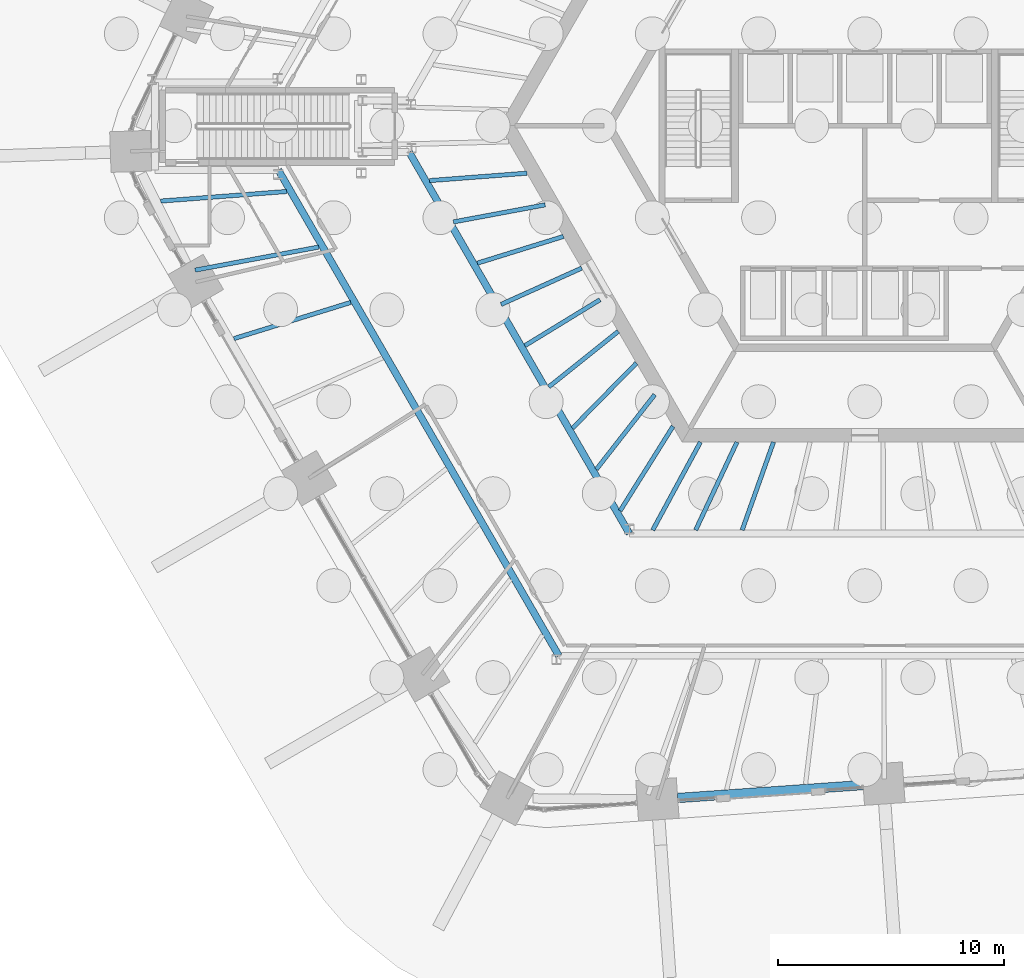
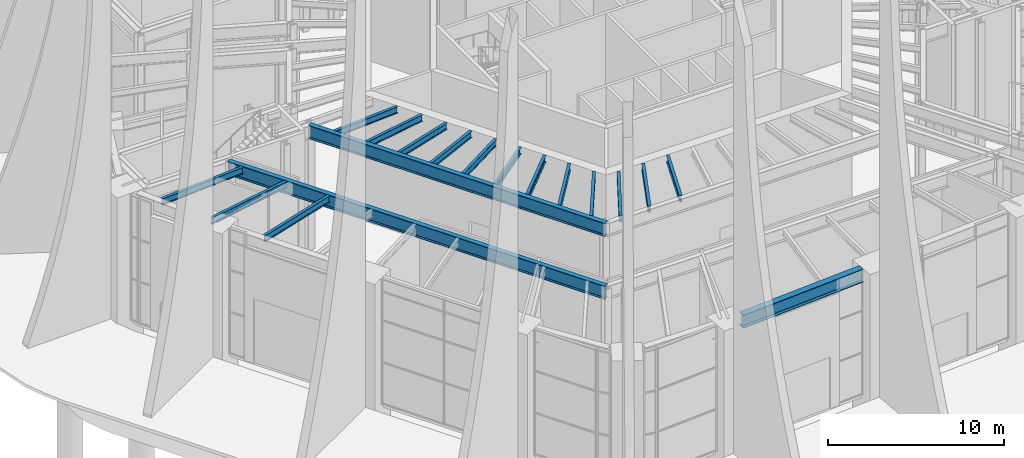
# One storey, part 5 of 43: 18 beams.
"""IFC4 building model written with IfcOpenShell, lengths in metres."""

from ifc_helpers import new_model, si_unit, direction, frame, origin, origin_2d, place, context, subcontext, project, spatial, i_section, extrude, material, material_profile, profile_set, type_object, element, save


model = new_model("IFC4")

# Units and contexts
model_context = context("Model", 3, precision=1e-05, world=origin(), true_north=direction((0.0, 1.0)))
body_context = subcontext(model_context, "Body", "Model", "MODEL_VIEW")
ifc_project = project(units=[si_unit("LENGTHUNIT", "METRE"), si_unit("AREAUNIT", "SQUARE_METRE"), si_unit("VOLUMEUNIT", "CUBIC_METRE"), si_unit("PLANEANGLEUNIT", "RADIAN"), si_unit("MASSUNIT", "GRAM", prefix="KILO")], contexts=[model_context])

# Site, building, storey
site_placement = place(None, origin())
site = spatial("IfcSite", under=ifc_project, at=site_placement, CompositionType="ELEMENT")
building_placement = place(site_placement, origin())
building = spatial("IfcBuilding", under=site, at=building_placement, Name="Tarnside Tower", CompositionType="ELEMENT")
storey_placement = place(building_placement, origin())
storey = spatial("IfcBuildingStorey", under=building, at=storey_placement, Name="L00", CompositionType="ELEMENT", Elevation=0.0)

# Beams
ifc_material_1 = material(Name="Steel S355", Category="steel")
ifc_material_profile_1 = material_profile(ifc_material_1, i_section(OverallWidth=0.18994140625, OverallDepth=0.453369140625, WebThickness=0.008544921875, FlangeThickness=0.0126953125, FilletRadius=0.01025390625, at=origin_2d()), Name="UB 457x191x67")
ifc_profile_set_1 = profile_set([ifc_material_profile_1], Name="Steel S355")
beam_type_1 = type_object("IfcBeamType", Name="Floor beam UB 457x191x67", PredefinedType="BEAM", material=ifc_profile_set_1)
beam_1_placement = place(storey_placement, frame((-31.15625, -3.33447265625, 8.523193359375), z_axis=(0.997110963319, 0.075958717927, 0.0), x_axis=(-0.075958717927, 0.997110963319, 0.0)))
element("IfcBeam", 1, at=beam_1_placement, inside=storey, type_object=beam_type_1, Name="Floor beam F3.01a", PredefinedType="BEAM", context=body_context, shape_type="SweptSolid", body=[
    extrude(i_section(OverallWidth=0.18994140625, OverallDepth=0.453369140625, WebThickness=0.008544921875, FlangeThickness=0.0126953125, FilletRadius=0.01025390625, at=origin_2d()), origin(), (0.0, 0.0, 1.0), 5.592529296875),
])
beam_2_placement = place(storey_placement, frame((-19.25830078125, -2.427978515625, 8.523193359375), z_axis=(0.997112080207, 0.075944055108, 0.0), x_axis=(-0.075944055108, 0.997112080207, 0.0)))
element("IfcBeam", 2, at=beam_2_placement, inside=storey, type_object=beam_type_1, Name="Floor beam F3.01b", PredefinedType="BEAM", context=body_context, shape_type="SweptSolid", body=[
    extrude(i_section(OverallWidth=0.18994140625, OverallDepth=0.453369140625, WebThickness=0.008544921875, FlangeThickness=0.0126953125, FilletRadius=0.01025390625, at=origin_2d()), origin(), (0.0, 0.0, 1.0), 4.3173828125),
])
beam_3_placement = place(storey_placement, frame((-29.635498046875, -6.389892578125, 8.523193359375), z_axis=(0.983037534305, 0.183404487806, 0.0), x_axis=(-0.183404487806, 0.983037534305, 0.0)))
element("IfcBeam", 3, at=beam_3_placement, inside=storey, type_object=beam_type_1, Name="Floor beam F3.02a", PredefinedType="BEAM", context=body_context, shape_type="SweptSolid", body=[
    extrude(i_section(OverallWidth=0.18994140625, OverallDepth=0.453369140625, WebThickness=0.008544921875, FlangeThickness=0.0126953125, FilletRadius=0.01025390625, at=origin_2d()), origin(), (0.0, 0.0, 1.0), 5.569580078125),
])
beam_4_placement = place(storey_placement, frame((-18.202392578125, -4.257080078125, 8.523193359375), z_axis=(0.983033192305, 0.183427759151, 0.0), x_axis=(-0.183427759151, 0.983033192305, 0.0)))
element("IfcBeam", 4, at=beam_4_placement, inside=storey, type_object=beam_type_1, Name="Floor beam F3.02b", PredefinedType="BEAM", context=body_context, shape_type="SweptSolid", body=[
    extrude(i_section(OverallWidth=0.18994140625, OverallDepth=0.453369140625, WebThickness=0.008544921875, FlangeThickness=0.0126953125, FilletRadius=0.01025390625, at=origin_2d()), origin(), (0.0, 0.0, 1.0), 4.12744140625),
])
beam_5_placement = place(storey_placement, frame((-27.919189453125, -9.422119140625, 8.523193359375), z_axis=(0.955139348669, 0.296156756843, 0.0), x_axis=(-0.296156756843, 0.955139348669, 0.0)))
element("IfcBeam", 5, at=beam_5_placement, inside=storey, type_object=beam_type_1, Name="Floor beam F3.03a", PredefinedType="BEAM", context=body_context, shape_type="SweptSolid", body=[
    extrude(i_section(OverallWidth=0.18994140625, OverallDepth=0.453369140625, WebThickness=0.008544921875, FlangeThickness=0.0126953125, FilletRadius=0.01025390625, at=origin_2d()), origin(), (0.0, 0.0, 1.0), 5.416015625),
])
beam_6_placement = place(storey_placement, frame((-17.148681640625, -6.082275390625, 8.523193359375), z_axis=(0.955105927172, 0.296264523493, 0.0), x_axis=(-0.296264523493, 0.955105927172, 0.0)))
element("IfcBeam", 6, at=beam_6_placement, inside=storey, type_object=beam_type_1, Name="Floor beam F3.03b", PredefinedType="BEAM", context=body_context, shape_type="SweptSolid", body=[
    extrude(i_section(OverallWidth=0.18994140625, OverallDepth=0.453369140625, WebThickness=0.008544921875, FlangeThickness=0.0126953125, FilletRadius=0.01025390625, at=origin_2d()), origin(), (0.0, 0.0, 1.0), 3.990966796875),
])
beam_7_placement = place(storey_placement, frame((-16.094970703125, -7.9072265625, 8.523193359375), z_axis=(0.911701832806, 0.410852489414, 0.0), x_axis=(-0.410852489414, 0.911701832806, 0.0)))
element("IfcBeam", 7, at=beam_7_placement, inside=storey, type_object=beam_type_1, Name="Floor beam F3.04b", PredefinedType="BEAM", context=body_context, shape_type="SweptSolid", body=[
    extrude(i_section(OverallWidth=0.18994140625, OverallDepth=0.453369140625, WebThickness=0.008544921875, FlangeThickness=0.0126953125, FilletRadius=0.01025390625, at=origin_2d()), origin(), (0.0, 0.0, 1.0), 3.911865234375),
])
beam_8_placement = place(storey_placement, frame((-15.041259765625, -9.732421875, 8.523193359375), z_axis=(0.85294531586, 0.522000276008, 0.0), x_axis=(-0.522000276008, 0.85294531586, 0.0)))
element("IfcBeam", 8, at=beam_8_placement, inside=storey, type_object=beam_type_1, Name="Floor beam F3.05b", PredefinedType="BEAM", context=body_context, shape_type="SweptSolid", body=[
    extrude(i_section(OverallWidth=0.18994140625, OverallDepth=0.453369140625, WebThickness=0.008544921875, FlangeThickness=0.0126953125, FilletRadius=0.01025390625, at=origin_2d()), origin(), (0.0, 0.0, 1.0), 3.8935546875),
])
beam_9_placement = place(storey_placement, frame((-13.9873046875, -11.5576171875, 8.523193359375), z_axis=(0.781219607864, 0.624256296956, 0.0), x_axis=(-0.624256296956, 0.781219607864, 0.0)))
element("IfcBeam", 9, at=beam_9_placement, inside=storey, type_object=beam_type_1, Name="Floor beam F3.06b", PredefinedType="BEAM", context=body_context, shape_type="SweptSolid", body=[
    extrude(i_section(OverallWidth=0.18994140625, OverallDepth=0.453369140625, WebThickness=0.008544921875, FlangeThickness=0.0126953125, FilletRadius=0.01025390625, at=origin_2d()), origin(), (0.0, 0.0, 1.0), 3.936767578125),
])
beam_10_placement = place(storey_placement, frame((-12.93359375, -13.3828125, 8.523193359375), z_axis=(0.700549796395, 0.713603519309, 0.0), x_axis=(-0.713603519309, 0.700549796395, 0.0)))
element("IfcBeam", 10, at=beam_10_placement, inside=storey, type_object=beam_type_1, Name="Floor beam F3.07b", PredefinedType="BEAM", context=body_context, shape_type="SweptSolid", body=[
    extrude(i_section(OverallWidth=0.18994140625, OverallDepth=0.453369140625, WebThickness=0.008544921875, FlangeThickness=0.0126953125, FilletRadius=0.01025390625, at=origin_2d()), origin(), (0.0, 0.0, 1.0), 4.039794921875),
])
beam_11_placement = place(storey_placement, frame((-11.8798828125, -15.2080078125, 8.523193359375), z_axis=(0.615646299111, 0.78802261033, 0.0), x_axis=(-0.78802261033, 0.615646299111, 0.0)))
element("IfcBeam", 11, at=beam_11_placement, inside=storey, type_object=beam_type_1, Name="Floor beam F3.08b", PredefinedType="BEAM", context=body_context, shape_type="SweptSolid", body=[
    extrude(i_section(OverallWidth=0.18994140625, OverallDepth=0.453369140625, WebThickness=0.008544921875, FlangeThickness=0.0126953125, FilletRadius=0.01025390625, at=origin_2d()), origin(), (0.0, 0.0, 1.0), 4.197998046875),
])
beam_12_placement = place(storey_placement, frame((-10.823974609375, -17.037109375, 8.523193359375), z_axis=(0.530203062422, 0.847870693324, 0.0), x_axis=(-0.847870693324, 0.530203062422, 0.0)))
element("IfcBeam", 12, at=beam_12_placement, inside=storey, type_object=beam_type_1, Name="Floor beam F3.09b", PredefinedType="BEAM", context=body_context, shape_type="SweptSolid", body=[
    extrude(i_section(OverallWidth=0.18994140625, OverallDepth=0.453369140625, WebThickness=0.008544921875, FlangeThickness=0.0126953125, FilletRadius=0.01025390625, at=origin_2d()), origin(), (0.0, 0.0, 1.0), 4.407470703125),
])
beam_13_placement = place(storey_placement, frame((-9.384521484375, -17.892333984375, 8.523193359375), z_axis=(0.476547814477, 0.879148554294, 0.0), x_axis=(-0.879148554294, 0.476547814477, 0.0)))
element("IfcBeam", 13, at=beam_13_placement, inside=storey, type_object=beam_type_1, Name="Floor beam C3b", PredefinedType="BEAM", context=body_context, shape_type="SweptSolid", body=[
    extrude(i_section(OverallWidth=0.18994140625, OverallDepth=0.453369140625, WebThickness=0.008544921875, FlangeThickness=0.0126953125, FilletRadius=0.01025390625, at=origin_2d()), origin(), (0.0, 0.0, 1.0), 4.427490234375),
])
beam_14_placement = place(storey_placement, frame((-7.485107421875, -17.892333984375, 8.523193359375), z_axis=(0.424932774521, 0.905224909698, 0.0), x_axis=(-0.905224909698, 0.424932774521, 0.0)))
element("IfcBeam", 14, at=beam_14_placement, inside=storey, type_object=beam_type_1, Name="Floor beam F4.01b", PredefinedType="BEAM", context=body_context, shape_type="SweptSolid", body=[
    extrude(i_section(OverallWidth=0.18994140625, OverallDepth=0.453369140625, WebThickness=0.008544921875, FlangeThickness=0.0126953125, FilletRadius=0.01025390625, at=origin_2d()), origin(), (0.0, 0.0, 1.0), 4.2998046875),
])
beam_15_placement = place(storey_placement, frame((-5.42626953125, -17.892333984375, 8.523193359375), z_axis=(0.335186869023, 0.942151666578, 0.0), x_axis=(-0.942151666578, 0.335186869023, 0.0)))
element("IfcBeam", 15, at=beam_15_placement, inside=storey, type_object=beam_type_1, Name="Floor beam F4.02b", PredefinedType="BEAM", context=body_context, shape_type="SweptSolid", body=[
    extrude(i_section(OverallWidth=0.18994140625, OverallDepth=0.453369140625, WebThickness=0.008544921875, FlangeThickness=0.0126953125, FilletRadius=0.01025390625, at=origin_2d()), origin(), (0.0, 0.0, 1.0), 4.13134765625),
])
ifc_material_profile_2 = material_profile(ifc_material_1, i_section(OverallWidth=0.3076171875, OverallDepth=0.926513671875, WebThickness=0.01953125, FlangeThickness=0.031982421875, FilletRadius=0.01904296875, at=origin_2d()), Name="UB 914x305x289")
ifc_profile_set_2 = profile_set([ifc_material_profile_2], Name="Steel S355")
beam_type_2 = type_object("IfcBeamType", Name="Perimeter girder UB 914x305x289", PredefinedType="BEAM", material=ifc_profile_set_2)
beam_16_placement = place(storey_placement, frame((-13.541015625, -23.453857421875, 8.28662109375), z_axis=(-0.500001666087, 0.866024441867, 0.0), x_axis=(-0.866024441867, -0.500001666087, 0.0)))
element("IfcBeam", 16, at=beam_16_placement, inside=storey, type_object=beam_type_2, Name="Perimeter girder T49", PredefinedType="BEAM", context=body_context, shape_type="SweptSolid", body=[
    extrude(i_section(OverallWidth=0.3076171875, OverallDepth=0.926513671875, WebThickness=0.01953125, FlangeThickness=0.031982421875, FilletRadius=0.01904296875, at=origin_2d()), origin(), (0.0, 0.0, 1.0), 24.826171875),
])
beam_17_placement = place(storey_placement, frame((-20.16162109375, -1.171142578125, 8.28662109375), z_axis=(0.499995765644, -0.866027848477, 0.0), x_axis=(0.866027848477, 0.499995765644, 0.0)))
element("IfcBeam", 17, at=beam_17_placement, inside=storey, type_object=beam_type_2, Name="Perimeter girder T59", PredefinedType="BEAM", context=body_context, shape_type="SweptSolid", body=[
    extrude(i_section(OverallWidth=0.3076171875, OverallDepth=0.926513671875, WebThickness=0.01953125, FlangeThickness=0.031982421875, FilletRadius=0.01904296875, at=origin_2d()), origin(), (0.0, 0.0, 1.0), 19.485595703125),
])
ifc_material_2 = material(Name="Steel S460", Category="steel")
ifc_material_profile_3 = material_profile(ifc_material_2, i_section(OverallWidth=0.42041015625, OverallDepth=0.9208984375, WebThickness=0.021484375, FlangeThickness=0.03662109375, FilletRadius=0.024169921875, at=origin_2d()), Name="UB 914x419x388")
ifc_profile_set_3 = profile_set([ifc_material_profile_3], Name="Steel S460")
beam_type_3 = type_object("IfcBeamType", Name="Perimeter girder UB 914x419x388", PredefinedType="BEAM", material=ifc_profile_set_3)
beam_18_placement = place(storey_placement, frame((-8.27978515625, -29.75, 8.28955078125), z_axis=(0.99756353515, 0.069763839764, 0.0), x_axis=(-0.069763839764, 0.99756353515, 0.0)))
element("IfcBeam", 18, at=beam_18_placement, inside=storey, type_object=beam_type_3, Name="Perimeter girder M13", PredefinedType="BEAM", context=body_context, shape_type="SweptSolid", body=[
    extrude(i_section(OverallWidth=0.42041015625, OverallDepth=0.9208984375, WebThickness=0.021484375, FlangeThickness=0.03662109375, FilletRadius=0.024169921875, at=origin_2d()), origin(), (0.0, 0.0, 1.0), 8.223876953125),
])

save(model, "model.ifc")
